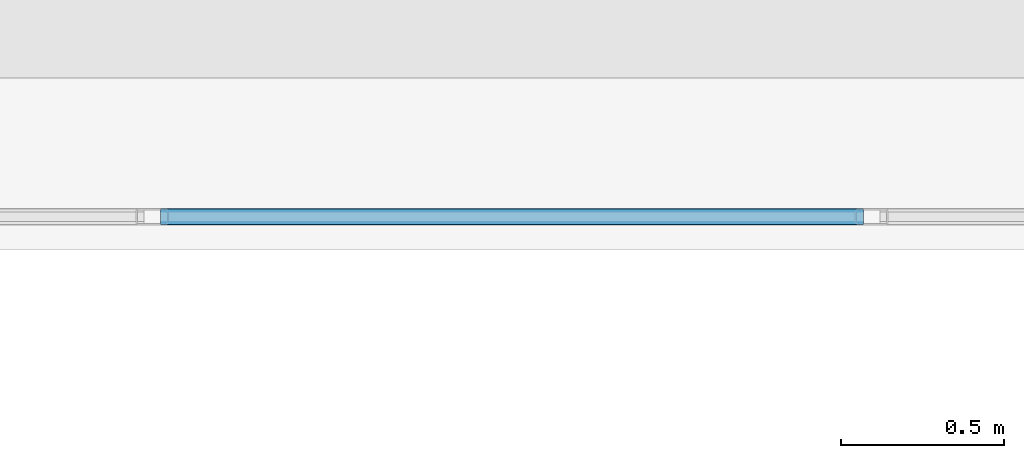
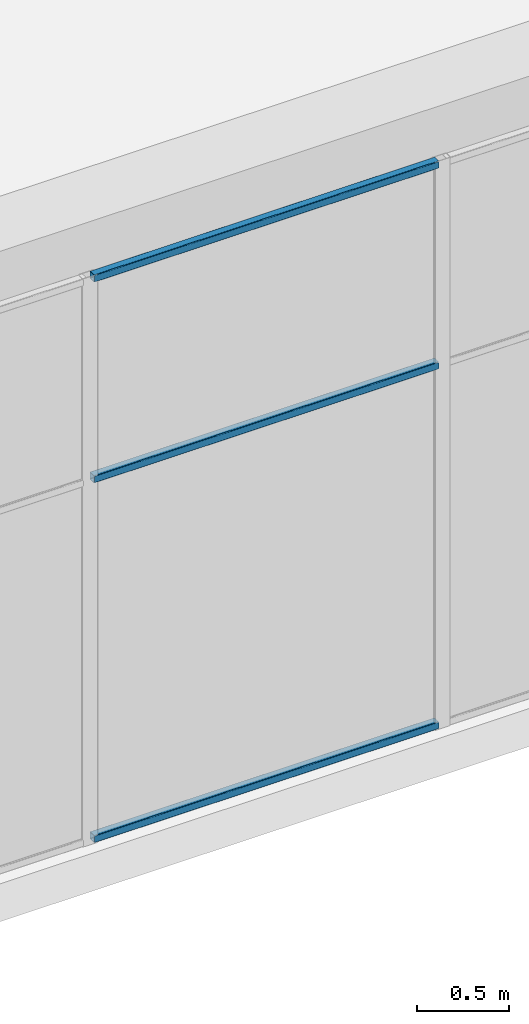
# One storey, part 10 of 34: 3 members, 1 element without a shape of its own.
"""IFC4 building model written with IfcOpenShell, lengths in metres."""

from ifc_helpers import new_model, si_unit, direction, frame, origin, origin_2d, place, context, subcontext, project, spatial, hollow_rectangle, extrude, material, layer, layer_set, material_profile, profile_set, type_object, element, aggregate, save


model = new_model("IFC4")

# Units and contexts
model_context = context("Model", 3, precision=1e-05, world=origin(), true_north=direction((0.0, 1.0)))
body_context = subcontext(model_context, "Body", "Model", "MODEL_VIEW")
ifc_project = project(units=[si_unit("LENGTHUNIT", "METRE"), si_unit("AREAUNIT", "SQUARE_METRE"), si_unit("VOLUMEUNIT", "CUBIC_METRE"), si_unit("PLANEANGLEUNIT", "RADIAN"), si_unit("MASSUNIT", "GRAM", prefix="KILO")], contexts=[model_context])

# Site, building, storey
site_placement = place(None, origin())
site = spatial("IfcSite", under=ifc_project, at=site_placement, CompositionType="ELEMENT")
building_placement = place(site_placement, origin())
building = spatial("IfcBuilding", under=site, at=building_placement, Name="Tuart Plaza Theatre", CompositionType="ELEMENT")
storey_placement = place(building_placement, frame((0.0, 0.0, 57.5)))
storey = spatial("IfcBuildingStorey", under=building, at=storey_placement, Name="L14", CompositionType="ELEMENT", Elevation=57.5)

# Curtain wall, members
ifc_material_1 = material(Name="Aluminium and glass", Category="aluminium")
ifc_layer = layer(ifc_material_1, 0.10009765625)
ifc_layer_set = layer_set([ifc_layer], Name="CURTAIN WALL 2000 module")
curtain_wall_type = type_object("IfcCurtainWallType", Name="CURTAIN WALL 2000 module", PredefinedType="NOTDEFINED", material=ifc_layer_set)
curtain_wall_placement = place(storey_placement, origin())
curtain_wall = element("IfcCurtainWall", 1, at=curtain_wall_placement, inside=storey, type_object=curtain_wall_type, Name="CW113", PredefinedType="NOTDEFINED")
ifc_material_2 = material(Name="Aluminium 6063-T5", Category="aluminium")
ifc_material_profile = material_profile(ifc_material_2, hollow_rectangle(XDim=0.050048828125, YDim=0.050048828125, WallThickness=0.00390625, InnerFilletRadius=0.00390625, OuterFilletRadius=0.008056640625, at=origin_2d()), Name="RHS 50x50x4")
ifc_profile_set = profile_set([ifc_material_profile], Name="Aluminium 6063-T5")
member_type = type_object("IfcMemberType", Name="TRANSOM RHS 50x50x4", PredefinedType="USERDEFINED", material=ifc_profile_set)
member_1_placement = place(storey_placement, frame((143.97509765625, 64.35009765625, 0.02490234375), z_axis=(1.0, 0.0, 0.0), x_axis=(0.0, 1.0, 0.0)))
member_1 = element("IfcMember", 2, at=member_1_placement, type_object=member_type, Name="CW113 transom 2.1", ObjectType="TRANSOM", PredefinedType="USERDEFINED", context=body_context, shape_type="SweptSolid", body=[
    extrude(hollow_rectangle(XDim=0.050048828125, YDim=0.050048828125, WallThickness=0.00390625, InnerFilletRadius=0.00390625, OuterFilletRadius=0.008056640625, at=origin_2d()), origin(), (0.0, 0.0, 1.0), 2.14990234375),
])
member_2_placement = place(storey_placement, frame((143.97509765625, 64.35009765625, 2.39990234375), z_axis=(1.0, 0.0, 0.0), x_axis=(0.0, 1.0, 0.0)))
member_2 = element("IfcMember", 3, at=member_2_placement, type_object=member_type, Name="CW113 transom 2.2", ObjectType="TRANSOM", PredefinedType="USERDEFINED", context=body_context, shape_type="SweptSolid", body=[
    extrude(hollow_rectangle(XDim=0.050048828125, YDim=0.050048828125, WallThickness=0.00390625, InnerFilletRadius=0.00390625, OuterFilletRadius=0.008056640625, at=origin_2d()), origin(), (0.0, 0.0, 1.0), 2.14990234375),
])
member_3_placement = place(storey_placement, frame((143.97509765625, 64.35009765625, 3.72509765625), z_axis=(1.0, 0.0, 0.0), x_axis=(0.0, 1.0, 0.0)))
member_3 = element("IfcMember", 4, at=member_3_placement, type_object=member_type, Name="CW113 transom 2.3", ObjectType="TRANSOM", PredefinedType="USERDEFINED", context=body_context, shape_type="SweptSolid", body=[
    extrude(hollow_rectangle(XDim=0.050048828125, YDim=0.050048828125, WallThickness=0.00390625, InnerFilletRadius=0.00390625, OuterFilletRadius=0.008056640625, at=origin_2d()), origin(), (0.0, 0.0, 1.0), 2.14990234375),
])
aggregate(curtain_wall, [member_1, member_2, member_3])

save(model, "model.ifc")
